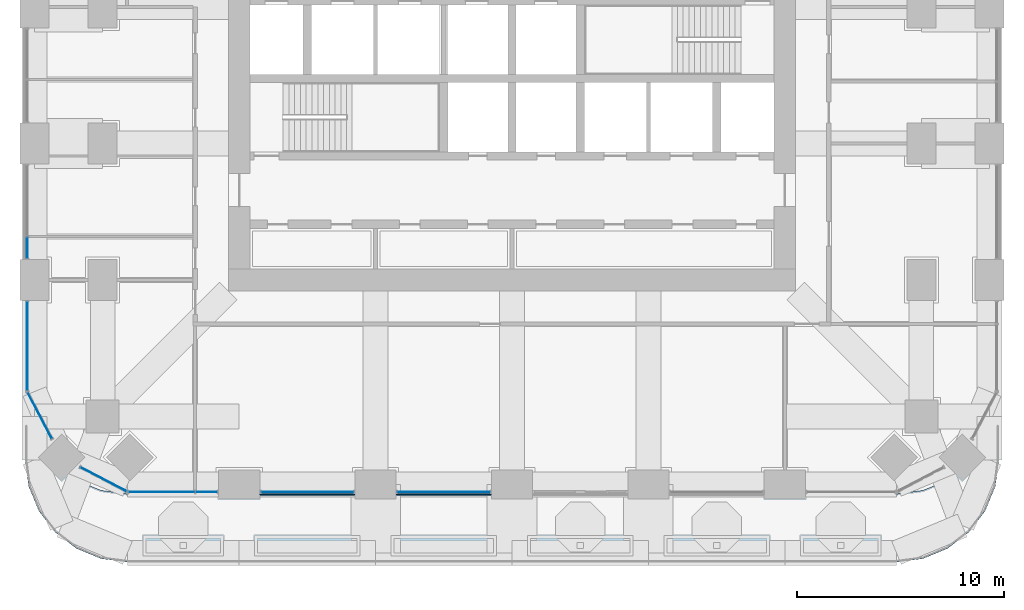
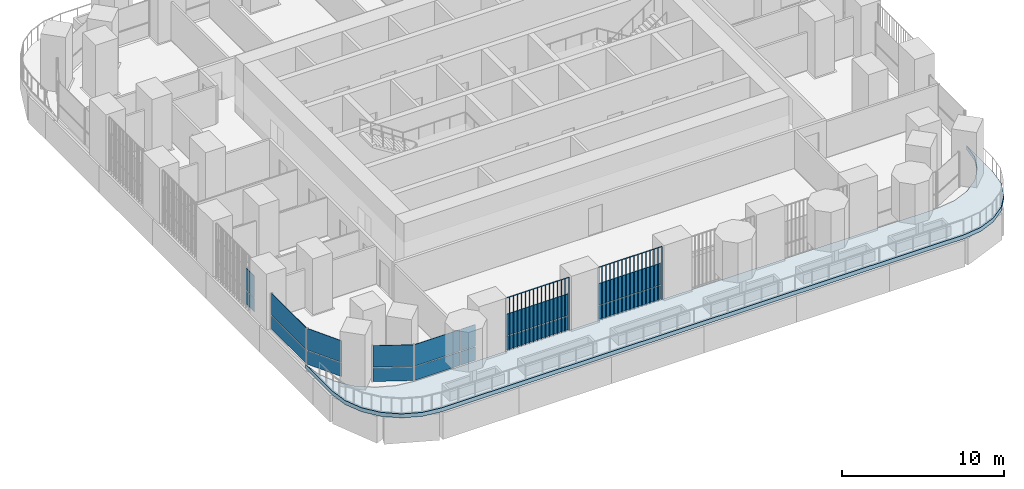
# One storey, part 8 of 22: 18 plates, 1 slab, 7 elements without a shape of their own.
"""IFC4 building model written with IfcOpenShell, lengths in metres."""

from ifc_helpers import new_model, si_unit, direction, frame, origin, origin_2d, place, context, subcontext, project, spatial, polyline, rectangle, outline, extrude, material, layer, layer_set, type_object, element, aggregate, save


model = new_model("IFC4")

# Units and contexts
model_context = context("Model", 3, precision=1e-05, world=origin(), true_north=direction((0.0, 1.0)))
body_context = subcontext(model_context, "Body", "Model", "MODEL_VIEW")
ifc_project = project(units=[si_unit("LENGTHUNIT", "METRE"), si_unit("AREAUNIT", "SQUARE_METRE"), si_unit("VOLUMEUNIT", "CUBIC_METRE"), si_unit("PLANEANGLEUNIT", "RADIAN"), si_unit("MASSUNIT", "GRAM", prefix="KILO")], contexts=[model_context])

# Site, building, storey
site_placement = place(None, origin())
site = spatial("IfcSite", under=ifc_project, at=site_placement, CompositionType="ELEMENT")
building_placement = place(site_placement, origin())
building = spatial("IfcBuilding", under=site, at=building_placement, Name="Cobogo Forest Laboratory Tower", CompositionType="ELEMENT")
storey_placement = place(building_placement, frame((0.0, 0.0, 155.699951171875)))
storey = spatial("IfcBuildingStorey", under=building, at=storey_placement, Name="L35", CompositionType="ELEMENT", Elevation=155.699951171875)

# Curtain wall, plates
ifc_material_1 = material(Name="Aluminium curtain wall", Category="aluminium")
curtain_wall_type = type_object("IfcCurtainWallType", Name="CW-2 unitised curtain wall, solar control glazing, laboratory floors zones C and D", PredefinedType="USERDEFINED", material=ifc_material_1)
curtain_wall_1_placement = place(storey_placement, origin())
curtain_wall_1 = element("IfcCurtainWall", 1, at=curtain_wall_1_placement, inside=storey, type_object=curtain_wall_type, Name="Curtain wall 01 L35", ObjectType="UNITISED CURTAIN WALL", PredefinedType="USERDEFINED")
ifc_material_2 = material(Name="Solar control insulated glass", Category="glass")
ifc_layer_1 = layer(ifc_material_2, 0.031982421875)
ifc_layer_set_1 = layer_set([ifc_layer_1], Name="GP-2 solar control glass unit 32")
plate_type_1 = type_object("IfcPlateType", Name="GP-2 solar control glass unit 32", PredefinedType="CURTAIN_PANEL", material=ifc_layer_set_1)
plate_1_placement = place(storey_placement, frame((9.452392578125, 2.949951171875, 0.0), z_axis=(0.0, 0.0, 1.0), x_axis=(1.0, 0.0, 0.0)))
plate_1 = element("IfcPlate", 2, at=plate_1_placement, type_object=plate_type_1, Name="CW-2 panel 1.1", PredefinedType="CURTAIN_PANEL", context=body_context, shape_type="SweptSolid", body=[
    extrude(rectangle(XDim=3.18505859375, YDim=0.031982421875, at=origin_2d()), origin(), (0.0, 0.0, 1.0), 1.02001953125),
])
plate_2_placement = place(storey_placement, frame((9.452392578125, 2.949951171875, 1.080078125), z_axis=(0.0, 0.0, 1.0), x_axis=(1.0, 0.0, 0.0)))
plate_2 = element("IfcPlate", 3, at=plate_2_placement, type_object=plate_type_1, Name="CW-2 panel 1.2", PredefinedType="CURTAIN_PANEL", context=body_context, shape_type="SweptSolid", body=[
    extrude(rectangle(XDim=3.18505859375, YDim=0.031982421875, at=origin_2d()), origin(), (0.0, 0.0, 1.0), 1.6201171875),
])
plate_3_placement = place(storey_placement, frame((11.62255859375, 2.949951171875, 0.0), z_axis=(0.0, 0.0, 1.0), x_axis=(1.0, 0.0, 0.0)))
plate_3 = element("IfcPlate", 4, at=plate_3_placement, type_object=plate_type_1, Name="CW-2 panel 2.1", PredefinedType="CURTAIN_PANEL", context=body_context, shape_type="SweptSolid", body=[
    extrude(rectangle(XDim=1.034912109375, YDim=0.031982421875, at=origin_2d()), origin(), (0.0, 0.0, 1.0), 1.02001953125),
])
plate_4_placement = place(storey_placement, frame((11.62255859375, 2.949951171875, 1.080078125), z_axis=(0.0, 0.0, 1.0), x_axis=(1.0, 0.0, 0.0)))
plate_4 = element("IfcPlate", 5, at=plate_4_placement, type_object=plate_type_1, Name="CW-2 panel 2.2", PredefinedType="CURTAIN_PANEL", context=body_context, shape_type="SweptSolid", body=[
    extrude(rectangle(XDim=1.034912109375, YDim=0.031982421875, at=origin_2d()), origin(), (0.0, 0.0, 1.0), 1.6201171875),
])
aggregate(curtain_wall_1, [plate_1, plate_2, plate_3, plate_4])

curtain_wall_2_placement = place(storey_placement, origin())
curtain_wall_2 = element("IfcCurtainWall", 6, at=curtain_wall_2_placement, inside=storey, type_object=curtain_wall_type, Name="Curtain wall 02 L35", ObjectType="UNITISED CURTAIN WALL", PredefinedType="USERDEFINED")
plate_5_placement = place(storey_placement, frame((16.5, 2.949951171875, 0.0), z_axis=(0.0, 0.0, 1.0), x_axis=(1.0, 0.0, 0.0)))
plate_5 = element("IfcPlate", 7, at=plate_5_placement, type_object=plate_type_1, Name="CW-2 panel 1.1", PredefinedType="CURTAIN_PANEL", context=body_context, shape_type="SweptSolid", body=[
    extrude(rectangle(XDim=4.47998046875, YDim=0.031982421875, at=origin_2d()), origin(), (0.0, 0.0, 1.0), 1.02001953125),
])
plate_6_placement = place(storey_placement, frame((16.5, 2.949951171875, 1.080078125), z_axis=(0.0, 0.0, 1.0), x_axis=(1.0, 0.0, 0.0)))
plate_6 = element("IfcPlate", 8, at=plate_6_placement, type_object=plate_type_1, Name="CW-2 panel 1.2", PredefinedType="CURTAIN_PANEL", context=body_context, shape_type="SweptSolid", body=[
    extrude(rectangle(XDim=4.47998046875, YDim=0.031982421875, at=origin_2d()), origin(), (0.0, 0.0, 1.0), 1.6201171875),
])
aggregate(curtain_wall_2, [plate_5, plate_6])

curtain_wall_3_placement = place(storey_placement, origin())
curtain_wall_3 = element("IfcCurtainWall", 9, at=curtain_wall_3_placement, inside=storey, type_object=curtain_wall_type, Name="Curtain wall 03 L35", ObjectType="UNITISED CURTAIN WALL", PredefinedType="USERDEFINED")
plate_7_placement = place(storey_placement, frame((23.10009765625, 2.949951171875, 0.0), z_axis=(0.0, 0.0, 1.0), x_axis=(1.0, 0.0, 0.0)))
plate_7 = element("IfcPlate", 10, at=plate_7_placement, type_object=plate_type_1, Name="CW-2 panel 1.1", PredefinedType="CURTAIN_PANEL", context=body_context, shape_type="SweptSolid", body=[
    extrude(rectangle(XDim=4.47998046875, YDim=0.031982421875, at=origin_2d()), origin(), (0.0, 0.0, 1.0), 1.02001953125),
])
plate_8_placement = place(storey_placement, frame((23.10009765625, 2.949951171875, 1.080078125), z_axis=(0.0, 0.0, 1.0), x_axis=(1.0, 0.0, 0.0)))
plate_8 = element("IfcPlate", 11, at=plate_8_placement, type_object=plate_type_1, Name="CW-2 panel 1.2", PredefinedType="CURTAIN_PANEL", context=body_context, shape_type="SweptSolid", body=[
    extrude(rectangle(XDim=4.47998046875, YDim=0.031982421875, at=origin_2d()), origin(), (0.0, 0.0, 1.0), 1.6201171875),
])
aggregate(curtain_wall_3, [plate_7, plate_8])

curtain_wall_4_placement = place(storey_placement, origin())
curtain_wall_4 = element("IfcCurtainWall", 12, at=curtain_wall_4_placement, inside=storey, type_object=curtain_wall_type, Name="Curtain wall 27 L35", ObjectType="UNITISED CURTAIN WALL", PredefinedType="USERDEFINED")
plate_9_placement = place(storey_placement, frame((2.949951171875, 14.764892578125, 0.0), z_axis=(0.0, 0.0, 1.0), x_axis=(0.0, -1.0, 0.0)))
plate_9 = element("IfcPlate", 13, at=plate_9_placement, type_object=plate_type_1, Name="CW-2 panel 2.1", PredefinedType="CURTAIN_PANEL", context=body_context, shape_type="SweptSolid", body=[
    extrude(rectangle(XDim=1.010009765625, YDim=0.031982421875, at=origin_2d()), origin(), (0.0, 0.0, 1.0), 1.02001953125),
])
plate_10_placement = place(storey_placement, frame((2.949951171875, 14.764892578125, 1.080078125), z_axis=(0.0, 0.0, 1.0), x_axis=(0.0, -1.0, 0.0)))
plate_10 = element("IfcPlate", 14, at=plate_10_placement, type_object=plate_type_1, Name="CW-2 panel 2.2", PredefinedType="CURTAIN_PANEL", context=body_context, shape_type="SweptSolid", body=[
    extrude(rectangle(XDim=1.010009765625, YDim=0.031982421875, at=origin_2d()), origin(), (0.0, 0.0, 1.0), 1.6201171875),
])
aggregate(curtain_wall_4, [plate_9, plate_10])

curtain_wall_5_placement = place(storey_placement, origin())
curtain_wall_5 = element("IfcCurtainWall", 15, at=curtain_wall_5_placement, inside=storey, type_object=curtain_wall_type, Name="Curtain wall 28 L35", ObjectType="UNITISED CURTAIN WALL", PredefinedType="USERDEFINED")
plate_11_placement = place(storey_placement, frame((2.949951171875, 10.0, 0.0), z_axis=(0.0, 0.0, 1.0), x_axis=(0.0, -1.0, 0.0)))
plate_11 = element("IfcPlate", 16, at=plate_11_placement, type_object=plate_type_1, Name="CW-2 panel 1.1", PredefinedType="CURTAIN_PANEL", context=body_context, shape_type="SweptSolid", body=[
    extrude(rectangle(XDim=4.280029296875, YDim=0.031982421875, at=origin_2d()), origin(), (0.0, 0.0, 1.0), 1.02001953125),
])
plate_12_placement = place(storey_placement, frame((2.949951171875, 10.0, 1.080078125), z_axis=(0.0, 0.0, 1.0), x_axis=(0.0, -1.0, 0.0)))
plate_12 = element("IfcPlate", 17, at=plate_12_placement, type_object=plate_type_1, Name="CW-2 panel 1.2", PredefinedType="CURTAIN_PANEL", context=body_context, shape_type="SweptSolid", body=[
    extrude(rectangle(XDim=4.280029296875, YDim=0.031982421875, at=origin_2d()), origin(), (0.0, 0.0, 1.0), 1.6201171875),
])
aggregate(curtain_wall_5, [plate_11, plate_12])

curtain_wall_6_placement = place(storey_placement, origin())
curtain_wall_6 = element("IfcCurtainWall", 18, at=curtain_wall_6_placement, inside=storey, type_object=curtain_wall_type, Name="Curtain wall 29 L35", ObjectType="UNITISED CURTAIN WALL", PredefinedType="USERDEFINED")
plate_13_placement = place(storey_placement, frame((3.557861328125, 6.640380859375, 0.0), z_axis=(0.0, 0.0, 1.0), x_axis=(0.464283723321, -0.885686527085, 0.0)))
plate_13 = element("IfcPlate", 19, at=plate_13_placement, type_object=plate_type_1, Name="CW-2 panel 1.1", PredefinedType="CURTAIN_PANEL", context=body_context, shape_type="SweptSolid", body=[
    extrude(rectangle(XDim=2.49853515625, YDim=0.031982421875, at=origin_2d()), origin(), (0.0, 0.0, 1.0), 1.02001953125),
])
plate_14_placement = place(storey_placement, frame((3.557861328125, 6.640380859375, 1.080078125), z_axis=(0.0, 0.0, 1.0), x_axis=(0.464283723321, -0.885686527085, 0.0)))
plate_14 = element("IfcPlate", 20, at=plate_14_placement, type_object=plate_type_1, Name="CW-2 panel 1.2", PredefinedType="CURTAIN_PANEL", context=body_context, shape_type="SweptSolid", body=[
    extrude(rectangle(XDim=2.49853515625, YDim=0.031982421875, at=origin_2d()), origin(), (0.0, 0.0, 1.0), 1.6201171875),
])
aggregate(curtain_wall_6, [plate_13, plate_14])

curtain_wall_7_placement = place(storey_placement, origin())
curtain_wall_7 = element("IfcCurtainWall", 21, at=curtain_wall_7_placement, inside=storey, type_object=curtain_wall_type, Name="Curtain wall 30 L35", ObjectType="UNITISED CURTAIN WALL", PredefinedType="USERDEFINED")
plate_15_placement = place(storey_placement, frame((6.640380859375, 3.557861328125, 0.0), z_axis=(0.0, 0.0, 1.0), x_axis=(0.885686527085, -0.464283723321, 0.0)))
plate_15 = element("IfcPlate", 22, at=plate_15_placement, type_object=plate_type_1, Name="CW-2 panel 1.1", PredefinedType="CURTAIN_PANEL", context=body_context, shape_type="SweptSolid", body=[
    extrude(rectangle(XDim=2.49853515625, YDim=0.031982421875, at=origin_2d()), origin(), (0.0, 0.0, 1.0), 1.02001953125),
])
plate_16_placement = place(storey_placement, frame((6.640380859375, 3.557861328125, 1.080078125), z_axis=(0.0, 0.0, 1.0), x_axis=(0.885686527085, -0.464283723321, 0.0)))
plate_16 = element("IfcPlate", 23, at=plate_16_placement, type_object=plate_type_1, Name="CW-2 panel 1.2", PredefinedType="CURTAIN_PANEL", context=body_context, shape_type="SweptSolid", body=[
    extrude(rectangle(XDim=2.49853515625, YDim=0.031982421875, at=origin_2d()), origin(), (0.0, 0.0, 1.0), 1.6201171875),
])
aggregate(curtain_wall_7, [plate_15, plate_16])

# Plates
ifc_material_3 = material(Name="Terracotta", Category="masonry")
plate_type_2 = type_object("IfcPlateType", Name="TB1 terracotta baguette screen", PredefinedType="USERDEFINED", material=ifc_material_3)
plate_17_placement = place(storey_placement, frame((14.231201171875, 2.822021484375, -0.14990234375)))
element("IfcPlate", 24, at=plate_17_placement, inside=storey, type_object=plate_type_2, Name="Baguette screen S1 L35", ObjectType="BAGUETTE SCREEN", PredefinedType="USERDEFINED", context=body_context, shape_type="SweptSolid", body=[
    extrude(outline(polyline([(0.02880859375, 0.011962890625), (0.011962890625, 0.02880859375), (-0.011962890625, 0.02880859375), (-0.02880859375, 0.011962890625), (-0.02880859375, -0.011962890625), (-0.011962890625, -0.02880859375), (0.011962890625, -0.02880859375), (0.02880859375, -0.011962890625), (0.02880859375, 0.011962890625)])), frame((0.0, 0.0, 4.168701171875), z_axis=(1.0, 0.0, 0.0), x_axis=(0.0, 1.0, 0.0)), (0.0, 0.0, 1.0), 4.53759765625),
    extrude(outline(polyline([(0.02880859375, 0.011962890625), (0.011962890625, 0.02880859375), (-0.011962890625, 0.02880859375), (-0.02880859375, 0.011962890625), (-0.02880859375, -0.011962890625), (-0.011962890625, -0.02880859375), (0.011962890625, -0.02880859375), (0.02880859375, -0.011962890625), (0.02880859375, 0.011962890625)])), origin(), (0.0, 0.0, 1.0), 4.137451171875),
    extrude(outline(polyline([(0.02880859375, 0.011962890625), (0.011962890625, 0.02880859375), (-0.011962890625, 0.02880859375), (-0.02880859375, 0.011962890625), (-0.02880859375, -0.011962890625), (-0.011962890625, -0.02880859375), (0.011962890625, -0.02880859375), (0.02880859375, -0.011962890625), (0.02880859375, 0.011962890625)])), frame((0.28369140625, 0.0, 0.0)), (0.0, 0.0, 1.0), 4.137451171875),
    extrude(outline(polyline([(0.02880859375, 0.011962890625), (0.011962890625, 0.02880859375), (-0.011962890625, 0.02880859375), (-0.02880859375, 0.011962890625), (-0.02880859375, -0.011962890625), (-0.011962890625, -0.02880859375), (0.011962890625, -0.02880859375), (0.02880859375, -0.011962890625), (0.02880859375, 0.011962890625)])), frame((0.567138671875, 0.0, 0.0)), (0.0, 0.0, 1.0), 4.137451171875),
    extrude(outline(polyline([(0.02880859375, 0.011962890625), (0.011962890625, 0.02880859375), (-0.011962890625, 0.02880859375), (-0.02880859375, 0.011962890625), (-0.02880859375, -0.011962890625), (-0.011962890625, -0.02880859375), (0.011962890625, -0.02880859375), (0.02880859375, -0.011962890625), (0.02880859375, 0.011962890625)])), frame((0.850830078125, 0.0, 0.0)), (0.0, 0.0, 1.0), 4.137451171875),
    extrude(outline(polyline([(0.02880859375, 0.011962890625), (0.011962890625, 0.02880859375), (-0.011962890625, 0.02880859375), (-0.02880859375, 0.011962890625), (-0.02880859375, -0.011962890625), (-0.011962890625, -0.02880859375), (0.011962890625, -0.02880859375), (0.02880859375, -0.011962890625), (0.02880859375, 0.011962890625)])), frame((1.13427734375, 0.0, 0.0)), (0.0, 0.0, 1.0), 4.137451171875),
    extrude(outline(polyline([(0.02880859375, 0.011962890625), (0.011962890625, 0.02880859375), (-0.011962890625, 0.02880859375), (-0.02880859375, 0.011962890625), (-0.02880859375, -0.011962890625), (-0.011962890625, -0.02880859375), (0.011962890625, -0.02880859375), (0.02880859375, -0.011962890625), (0.02880859375, 0.011962890625)])), frame((1.41796875, 0.0, 0.0)), (0.0, 0.0, 1.0), 4.137451171875),
    extrude(outline(polyline([(0.02880859375, 0.011962890625), (0.011962890625, 0.02880859375), (-0.011962890625, 0.02880859375), (-0.02880859375, 0.011962890625), (-0.02880859375, -0.011962890625), (-0.011962890625, -0.02880859375), (0.011962890625, -0.02880859375), (0.02880859375, -0.011962890625), (0.02880859375, 0.011962890625)])), frame((1.70166015625, 0.0, 0.0)), (0.0, 0.0, 1.0), 4.137451171875),
    extrude(outline(polyline([(0.02880859375, 0.011962890625), (0.011962890625, 0.02880859375), (-0.011962890625, 0.02880859375), (-0.02880859375, 0.011962890625), (-0.02880859375, -0.011962890625), (-0.011962890625, -0.02880859375), (0.011962890625, -0.02880859375), (0.02880859375, -0.011962890625), (0.02880859375, 0.011962890625)])), frame((1.985107421875, 0.0, 0.0)), (0.0, 0.0, 1.0), 4.137451171875),
    extrude(outline(polyline([(0.02880859375, 0.011962890625), (0.011962890625, 0.02880859375), (-0.011962890625, 0.02880859375), (-0.02880859375, 0.011962890625), (-0.02880859375, -0.011962890625), (-0.011962890625, -0.02880859375), (0.011962890625, -0.02880859375), (0.02880859375, -0.011962890625), (0.02880859375, 0.011962890625)])), frame((2.268798828125, 0.0, 0.0)), (0.0, 0.0, 1.0), 4.137451171875),
    extrude(outline(polyline([(0.02880859375, 0.011962890625), (0.011962890625, 0.02880859375), (-0.011962890625, 0.02880859375), (-0.02880859375, 0.011962890625), (-0.02880859375, -0.011962890625), (-0.011962890625, -0.02880859375), (0.011962890625, -0.02880859375), (0.02880859375, -0.011962890625), (0.02880859375, 0.011962890625)])), frame((2.552490234375, 0.0, 0.0)), (0.0, 0.0, 1.0), 4.137451171875),
    extrude(outline(polyline([(0.02880859375, 0.011962890625), (0.011962890625, 0.02880859375), (-0.011962890625, 0.02880859375), (-0.02880859375, 0.011962890625), (-0.02880859375, -0.011962890625), (-0.011962890625, -0.02880859375), (0.011962890625, -0.02880859375), (0.02880859375, -0.011962890625), (0.02880859375, 0.011962890625)])), frame((2.8359375, 0.0, 0.0)), (0.0, 0.0, 1.0), 4.137451171875),
    extrude(outline(polyline([(0.02880859375, 0.011962890625), (0.011962890625, 0.02880859375), (-0.011962890625, 0.02880859375), (-0.02880859375, 0.011962890625), (-0.02880859375, -0.011962890625), (-0.011962890625, -0.02880859375), (0.011962890625, -0.02880859375), (0.02880859375, -0.011962890625), (0.02880859375, 0.011962890625)])), frame((3.11962890625, 0.0, 0.0)), (0.0, 0.0, 1.0), 4.137451171875),
    extrude(outline(polyline([(0.02880859375, 0.011962890625), (0.011962890625, 0.02880859375), (-0.011962890625, 0.02880859375), (-0.02880859375, 0.011962890625), (-0.02880859375, -0.011962890625), (-0.011962890625, -0.02880859375), (0.011962890625, -0.02880859375), (0.02880859375, -0.011962890625), (0.02880859375, 0.011962890625)])), frame((3.4033203125, 0.0, 0.0)), (0.0, 0.0, 1.0), 4.137451171875),
    extrude(outline(polyline([(0.02880859375, 0.011962890625), (0.011962890625, 0.02880859375), (-0.011962890625, 0.02880859375), (-0.02880859375, 0.011962890625), (-0.02880859375, -0.011962890625), (-0.011962890625, -0.02880859375), (0.011962890625, -0.02880859375), (0.02880859375, -0.011962890625), (0.02880859375, 0.011962890625)])), frame((3.686767578125, 0.0, 0.0)), (0.0, 0.0, 1.0), 4.137451171875),
    extrude(outline(polyline([(0.02880859375, 0.011962890625), (0.011962890625, 0.02880859375), (-0.011962890625, 0.02880859375), (-0.02880859375, 0.011962890625), (-0.02880859375, -0.011962890625), (-0.011962890625, -0.02880859375), (0.011962890625, -0.02880859375), (0.02880859375, -0.011962890625), (0.02880859375, 0.011962890625)])), frame((3.970458984375, 0.0, 0.0)), (0.0, 0.0, 1.0), 4.137451171875),
    extrude(outline(polyline([(0.02880859375, 0.011962890625), (0.011962890625, 0.02880859375), (-0.011962890625, 0.02880859375), (-0.02880859375, 0.011962890625), (-0.02880859375, -0.011962890625), (-0.011962890625, -0.02880859375), (0.011962890625, -0.02880859375), (0.02880859375, -0.011962890625), (0.02880859375, 0.011962890625)])), frame((4.25390625, 0.0, 0.0)), (0.0, 0.0, 1.0), 4.137451171875),
    extrude(outline(polyline([(0.02880859375, 0.011962890625), (0.011962890625, 0.02880859375), (-0.011962890625, 0.02880859375), (-0.02880859375, 0.011962890625), (-0.02880859375, -0.011962890625), (-0.011962890625, -0.02880859375), (0.011962890625, -0.02880859375), (0.02880859375, -0.011962890625), (0.02880859375, 0.011962890625)])), frame((4.53759765625, 0.0, 0.0)), (0.0, 0.0, 1.0), 4.137451171875),
])
plate_18_placement = place(storey_placement, frame((20.831298828125, 2.822021484375, -0.14990234375)))
element("IfcPlate", 25, at=plate_18_placement, inside=storey, type_object=plate_type_2, Name="Baguette screen S2 L35", ObjectType="BAGUETTE SCREEN", PredefinedType="USERDEFINED", context=body_context, shape_type="SweptSolid", body=[
    extrude(outline(polyline([(0.02880859375, 0.011962890625), (0.011962890625, 0.02880859375), (-0.011962890625, 0.02880859375), (-0.02880859375, 0.011962890625), (-0.02880859375, -0.011962890625), (-0.011962890625, -0.02880859375), (0.011962890625, -0.02880859375), (0.02880859375, -0.011962890625), (0.02880859375, 0.011962890625)])), frame((0.0, 0.0, 4.168701171875), z_axis=(1.0, 0.0, 0.0), x_axis=(0.0, 1.0, 0.0)), (0.0, 0.0, 1.0), 4.537353515625),
    extrude(outline(polyline([(0.02880859375, 0.011962890625), (0.011962890625, 0.02880859375), (-0.011962890625, 0.02880859375), (-0.02880859375, 0.011962890625), (-0.02880859375, -0.011962890625), (-0.011962890625, -0.02880859375), (0.011962890625, -0.02880859375), (0.02880859375, -0.011962890625), (0.02880859375, 0.011962890625)])), origin(), (0.0, 0.0, 1.0), 4.137451171875),
    extrude(outline(polyline([(0.02880859375, 0.011962890625), (0.011962890625, 0.02880859375), (-0.011962890625, 0.02880859375), (-0.02880859375, 0.011962890625), (-0.02880859375, -0.011962890625), (-0.011962890625, -0.02880859375), (0.011962890625, -0.02880859375), (0.02880859375, -0.011962890625), (0.02880859375, 0.011962890625)])), frame((0.28369140625, 0.0, 0.0)), (0.0, 0.0, 1.0), 4.137451171875),
    extrude(outline(polyline([(0.02880859375, 0.011962890625), (0.011962890625, 0.02880859375), (-0.011962890625, 0.02880859375), (-0.02880859375, 0.011962890625), (-0.02880859375, -0.011962890625), (-0.011962890625, -0.02880859375), (0.011962890625, -0.02880859375), (0.02880859375, -0.011962890625), (0.02880859375, 0.011962890625)])), frame((0.567138671875, 0.0, 0.0)), (0.0, 0.0, 1.0), 4.137451171875),
    extrude(outline(polyline([(0.02880859375, 0.011962890625), (0.011962890625, 0.02880859375), (-0.011962890625, 0.02880859375), (-0.02880859375, 0.011962890625), (-0.02880859375, -0.011962890625), (-0.011962890625, -0.02880859375), (0.011962890625, -0.02880859375), (0.02880859375, -0.011962890625), (0.02880859375, 0.011962890625)])), frame((0.850830078125, 0.0, 0.0)), (0.0, 0.0, 1.0), 4.137451171875),
    extrude(outline(polyline([(0.02880859375, 0.011962890625), (0.011962890625, 0.02880859375), (-0.011962890625, 0.02880859375), (-0.02880859375, 0.011962890625), (-0.02880859375, -0.011962890625), (-0.011962890625, -0.02880859375), (0.011962890625, -0.02880859375), (0.02880859375, -0.011962890625), (0.02880859375, 0.011962890625)])), frame((1.13427734375, 0.0, 0.0)), (0.0, 0.0, 1.0), 4.137451171875),
    extrude(outline(polyline([(0.02880859375, 0.011962890625), (0.011962890625, 0.02880859375), (-0.011962890625, 0.02880859375), (-0.02880859375, 0.011962890625), (-0.02880859375, -0.011962890625), (-0.011962890625, -0.02880859375), (0.011962890625, -0.02880859375), (0.02880859375, -0.011962890625), (0.02880859375, 0.011962890625)])), frame((1.41796875, 0.0, 0.0)), (0.0, 0.0, 1.0), 4.137451171875),
    extrude(outline(polyline([(0.02880859375, 0.011962890625), (0.011962890625, 0.02880859375), (-0.011962890625, 0.02880859375), (-0.02880859375, 0.011962890625), (-0.02880859375, -0.011962890625), (-0.011962890625, -0.02880859375), (0.011962890625, -0.02880859375), (0.02880859375, -0.011962890625), (0.02880859375, 0.011962890625)])), frame((1.701416015625, 0.0, 0.0)), (0.0, 0.0, 1.0), 4.137451171875),
    extrude(outline(polyline([(0.02880859375, 0.011962890625), (0.011962890625, 0.02880859375), (-0.011962890625, 0.02880859375), (-0.02880859375, 0.011962890625), (-0.02880859375, -0.011962890625), (-0.011962890625, -0.02880859375), (0.011962890625, -0.02880859375), (0.02880859375, -0.011962890625), (0.02880859375, 0.011962890625)])), frame((1.985107421875, 0.0, 0.0)), (0.0, 0.0, 1.0), 4.137451171875),
    extrude(outline(polyline([(0.02880859375, 0.011962890625), (0.011962890625, 0.02880859375), (-0.011962890625, 0.02880859375), (-0.02880859375, 0.011962890625), (-0.02880859375, -0.011962890625), (-0.011962890625, -0.02880859375), (0.011962890625, -0.02880859375), (0.02880859375, -0.011962890625), (0.02880859375, 0.011962890625)])), frame((2.2685546875, 0.0, 0.0)), (0.0, 0.0, 1.0), 4.137451171875),
    extrude(outline(polyline([(0.02880859375, 0.011962890625), (0.011962890625, 0.02880859375), (-0.011962890625, 0.02880859375), (-0.02880859375, 0.011962890625), (-0.02880859375, -0.011962890625), (-0.011962890625, -0.02880859375), (0.011962890625, -0.02880859375), (0.02880859375, -0.011962890625), (0.02880859375, 0.011962890625)])), frame((2.55224609375, 0.0, 0.0)), (0.0, 0.0, 1.0), 4.137451171875),
    extrude(outline(polyline([(0.02880859375, 0.011962890625), (0.011962890625, 0.02880859375), (-0.011962890625, 0.02880859375), (-0.02880859375, 0.011962890625), (-0.02880859375, -0.011962890625), (-0.011962890625, -0.02880859375), (0.011962890625, -0.02880859375), (0.02880859375, -0.011962890625), (0.02880859375, 0.011962890625)])), frame((2.8359375, 0.0, 0.0)), (0.0, 0.0, 1.0), 4.137451171875),
    extrude(outline(polyline([(0.02880859375, 0.011962890625), (0.011962890625, 0.02880859375), (-0.011962890625, 0.02880859375), (-0.02880859375, 0.011962890625), (-0.02880859375, -0.011962890625), (-0.011962890625, -0.02880859375), (0.011962890625, -0.02880859375), (0.02880859375, -0.011962890625), (0.02880859375, 0.011962890625)])), frame((3.119384765625, 0.0, 0.0)), (0.0, 0.0, 1.0), 4.137451171875),
    extrude(outline(polyline([(0.02880859375, 0.011962890625), (0.011962890625, 0.02880859375), (-0.011962890625, 0.02880859375), (-0.02880859375, 0.011962890625), (-0.02880859375, -0.011962890625), (-0.011962890625, -0.02880859375), (0.011962890625, -0.02880859375), (0.02880859375, -0.011962890625), (0.02880859375, 0.011962890625)])), frame((3.403076171875, 0.0, 0.0)), (0.0, 0.0, 1.0), 4.137451171875),
    extrude(outline(polyline([(0.02880859375, 0.011962890625), (0.011962890625, 0.02880859375), (-0.011962890625, 0.02880859375), (-0.02880859375, 0.011962890625), (-0.02880859375, -0.011962890625), (-0.011962890625, -0.02880859375), (0.011962890625, -0.02880859375), (0.02880859375, -0.011962890625), (0.02880859375, 0.011962890625)])), frame((3.6865234375, 0.0, 0.0)), (0.0, 0.0, 1.0), 4.137451171875),
    extrude(outline(polyline([(0.02880859375, 0.011962890625), (0.011962890625, 0.02880859375), (-0.011962890625, 0.02880859375), (-0.02880859375, 0.011962890625), (-0.02880859375, -0.011962890625), (-0.011962890625, -0.02880859375), (0.011962890625, -0.02880859375), (0.02880859375, -0.011962890625), (0.02880859375, 0.011962890625)])), frame((3.97021484375, 0.0, 0.0)), (0.0, 0.0, 1.0), 4.137451171875),
    extrude(outline(polyline([(0.02880859375, 0.011962890625), (0.011962890625, 0.02880859375), (-0.011962890625, 0.02880859375), (-0.02880859375, 0.011962890625), (-0.02880859375, -0.011962890625), (-0.011962890625, -0.02880859375), (0.011962890625, -0.02880859375), (0.02880859375, -0.011962890625), (0.02880859375, 0.011962890625)])), frame((4.253662109375, 0.0, 0.0)), (0.0, 0.0, 1.0), 4.137451171875),
    extrude(outline(polyline([(0.02880859375, 0.011962890625), (0.011962890625, 0.02880859375), (-0.011962890625, 0.02880859375), (-0.02880859375, 0.011962890625), (-0.02880859375, -0.011962890625), (-0.011962890625, -0.02880859375), (0.011962890625, -0.02880859375), (0.02880859375, -0.011962890625), (0.02880859375, 0.011962890625)])), frame((4.537353515625, 0.0, 0.0)), (0.0, 0.0, 1.0), 4.137451171875),
])

# Slab
ifc_material_4 = material(Name="Concrete HA-40 (C40/50)", Category="concrete")
ifc_layer_2 = layer(ifc_material_4, 0.300048828125)
ifc_layer_set_2 = layer_set([ifc_layer_2], Name="Terrace slab 300")
slab_type = type_object("IfcSlabType", Name="Terrace slab 300", PredefinedType="FLOOR", material=ifc_layer_set_2)
slab_placement = place(storey_placement, frame((0.0, 0.0, -0.300048828125)))
element("IfcSlab", 26, at=slab_placement, inside=storey, type_object=slab_type, Name="Setback terrace S L35", PredefinedType="FLOOR", context=body_context, shape_type="SweptSolid", body=[
    extrude(outline(polyline([(49.949951171875, 4.5), (49.949951171875, 7.800048828125), (49.78125, 6.518798828125), (49.286865234375, 5.324951171875), (48.500244140625, 4.2998046875), (47.47509765625, 3.51318359375), (46.28125, 3.0185546875), (45.0, 2.85009765625), (7.800048828125, 2.85009765625), (6.518798828125, 3.0185546875), (5.324951171875, 3.51318359375), (4.2998046875, 4.2998046875), (3.51318359375, 5.324951171875), (3.0185546875, 6.518798828125), (2.85009765625, 7.800048828125), (2.85009765625, 4.5), (3.0185546875, 3.21875), (3.51318359375, 2.02490234375), (4.2998046875, 0.999755859375), (5.324951171875, 0.213134765625), (6.518798828125, -0.28125), (7.800048828125, -0.449951171875), (45.0, -0.449951171875), (46.28125, -0.28125), (47.47509765625, 0.213134765625), (48.500244140625, 0.999755859375), (49.286865234375, 2.02490234375), (49.78125, 3.21875), (49.949951171875, 4.5)])), origin(), (0.0, 0.0, 1.0), 0.300048828125),
])

save(model, "model.ifc")
